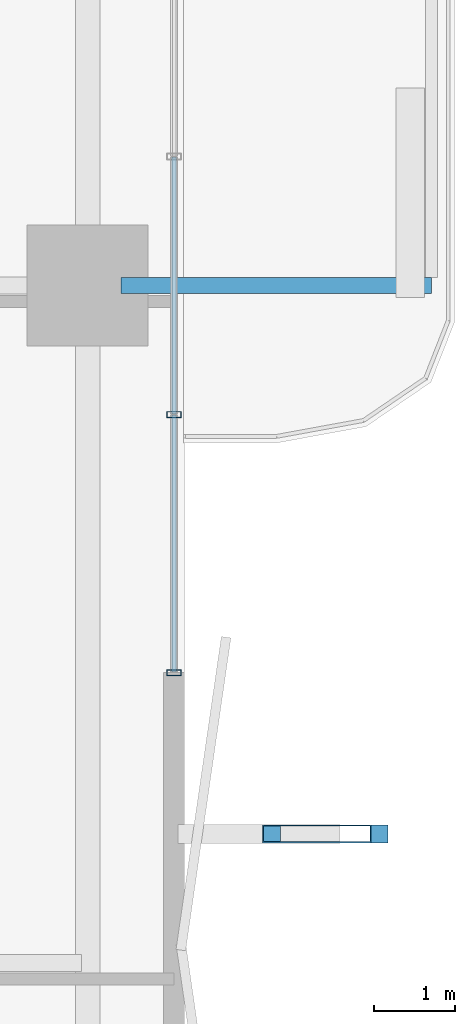
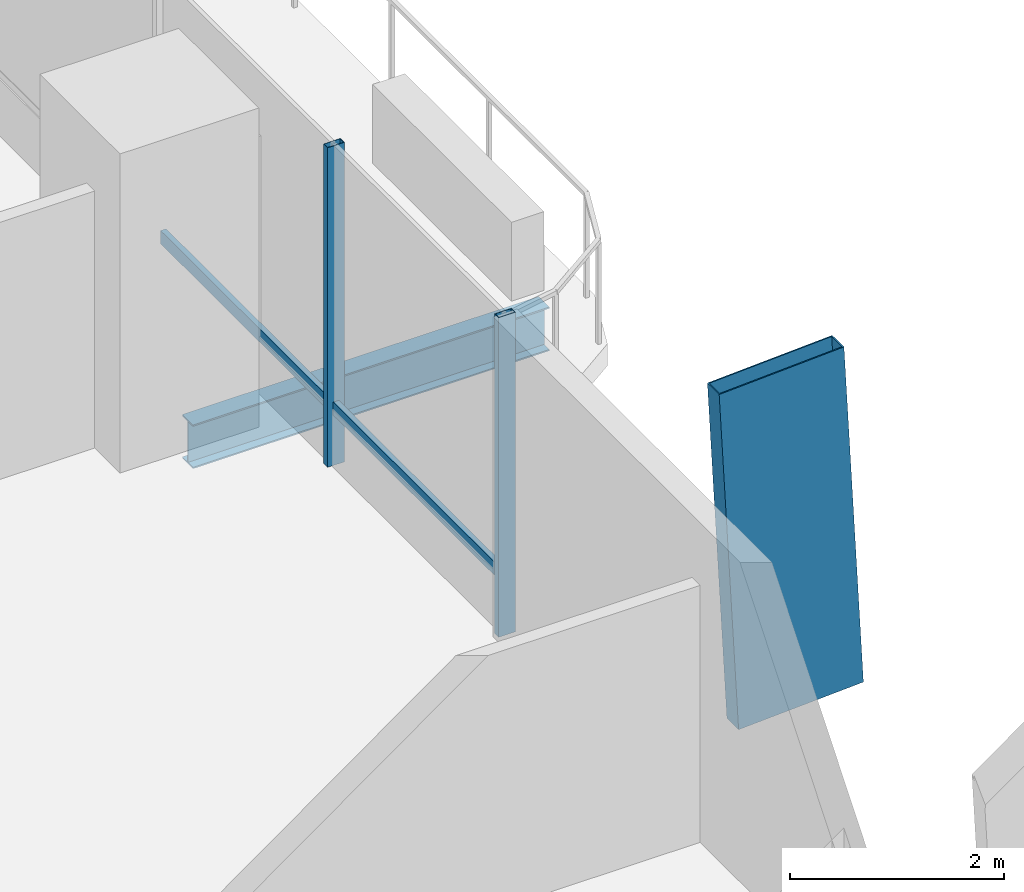
# One storey, part 8 of 24: 5 members, 1 beam, 1 element without a shape of its own.
"""IFC4 building model written with IfcOpenShell, lengths in metres."""

from ifc_helpers import new_model, si_unit, direction, frame, origin, origin_2d, place, context, subcontext, project, spatial, hollow_rectangle, i_section, extrude, material, layer, layer_set, material_profile, profile_set, type_object, element, aggregate, save


model = new_model("IFC4")

# Units and contexts
model_context = context("Model", 3, precision=1e-05, world=origin(), true_north=direction((0.0, 1.0)))
body_context = subcontext(model_context, "Body", "Model", "MODEL_VIEW")
ifc_project = project(units=[si_unit("LENGTHUNIT", "METRE"), si_unit("AREAUNIT", "SQUARE_METRE"), si_unit("VOLUMEUNIT", "CUBIC_METRE"), si_unit("PLANEANGLEUNIT", "RADIAN"), si_unit("MASSUNIT", "GRAM", prefix="KILO")], contexts=[model_context])

# Site, building, storey
site_placement = place(None, origin())
site = spatial("IfcSite", under=ifc_project, at=site_placement, CompositionType="ELEMENT")
building_placement = place(site_placement, origin())
building = spatial("IfcBuilding", under=site, at=building_placement, Name="Belovzor Exchange Tower", CompositionType="ELEMENT")
storey_placement = place(building_placement, frame((0.0, 0.0, 61.199951171875)))
storey = spatial("IfcBuildingStorey", under=building, at=storey_placement, Name="L14", CompositionType="ELEMENT", Elevation=61.199951171875)

# Member
ifc_material_1 = material(Name="Extruded Architectural Terracotta on Steel S355 Carrier", Category="masonry")
ifc_material_profile_1 = material_profile(ifc_material_1, hollow_rectangle(XDim=0.219970703125, YDim=1.35009765625, WallThickness=0.013916015625, at=origin_2d()))
ifc_profile_set_1 = profile_set([ifc_material_profile_1], Name="Extruded Architectural Terracotta on Steel S355 Carrier")
member_type_1 = type_object("IfcMemberType", Name="Base Arc Sweeping Terracotta Pylon Fin 1450", PredefinedType="USERDEFINED", material=ifc_profile_set_1)
member_1_placement = place(storey_placement, frame((58.549072265625, 22.0, -0.25), z_axis=(-0.053756276307, 0.0, 0.998554086045), x_axis=(0.0, -1.0, 0.0)))
element("IfcMember", 1, at=member_1_placement, inside=storey, type_object=member_type_1, Name="FIN-TC145 Terracotta Facade Fin L14 E2", ObjectType="FIN", PredefinedType="USERDEFINED", context=body_context, shape_type="SweptSolid", body=[
    extrude(hollow_rectangle(XDim=0.219970703125, YDim=1.35009765625, WallThickness=0.013916015625, at=origin_2d()), origin(), (0.0, 0.0, 1.0), 3.90576171875),
])

# Beam
ifc_material_2 = material(Name="Steel S355", Category="steel")
ifc_material_profile_2 = material_profile(ifc_material_2, i_section(OverallWidth=0.199951171875, OverallDepth=0.5, WebThickness=0.01025390625, FlangeThickness=0.01611328125, at=origin_2d()))
ifc_profile_set_2 = profile_set([ifc_material_profile_2], Name="Steel S355")
beam_type = type_object("IfcBeamType", Name="Planted Balcony Cantilever Beam IPE 500", PredefinedType="BEAM", material=ifc_profile_set_2)
beam_placement = place(storey_placement, frame((55.9130859375, 28.800048828125, -0.5), z_axis=(1.0, 0.0, 0.0), x_axis=(0.0, 1.0, 0.0)))
element("IfcBeam", 2, at=beam_placement, inside=storey, type_object=beam_type, Name="BC-500 Planted Balcony Cantilever Beam IPE 500", PredefinedType="BEAM", context=body_context, shape_type="SweptSolid", body=[
    extrude(i_section(OverallWidth=0.199951171875, OverallDepth=0.5, WebThickness=0.01025390625, FlangeThickness=0.01611328125, at=origin_2d()), origin(), (0.0, 0.0, 1.0), 3.849853515625),
])

# Curtain wall, members
ifc_material_3 = material(Name="Anodised Aluminium Framing", Category="aluminium")
ifc_layer = layer(ifc_material_3, 0.179931640625)
ifc_layer_set = layer_set([ifc_layer], Name="Anodised Aluminium Framing")
curtain_wall_type = type_object("IfcCurtainWallType", Name="Recessed Loggia Low-Iron Triple-Glazed Curtain Wall", PredefinedType="NOTDEFINED", material=ifc_layer_set)
curtain_wall_placement = place(storey_placement, origin())
curtain_wall = element("IfcCurtainWall", 3, at=curtain_wall_placement, inside=storey, type_object=curtain_wall_type, Name="CW3 Recessed Loggia Low-Iron Triple-Glazed Curtain Wall L14", PredefinedType="NOTDEFINED")
ifc_material_4 = material(Name="Steel S355", Category="steel")
ifc_material_profile_3 = material_profile(ifc_material_4, hollow_rectangle(XDim=0.074951171875, YDim=0.179931640625, WallThickness=0.0048828125, at=origin_2d()))
ifc_profile_set_3 = profile_set([ifc_material_profile_3], Name="Steel S355")
member_type_2 = type_object("IfcMemberType", Name="Thermally Broken Curtain Wall Mullion 180x75", PredefinedType="MULLION", material=ifc_profile_set_3)
member_2_placement = place(storey_placement, frame((56.570068359375, 27.199951171875, 0.0), z_axis=(0.0, 0.0, 1.0), x_axis=(0.0, -1.0, 0.0)))
member_2 = element("IfcMember", 4, at=member_2_placement, type_object=member_type_2, Name="CW-M180 Curtain Wall Mullion 3", PredefinedType="MULLION", context=body_context, shape_type="SweptSolid", body=[
    extrude(hollow_rectangle(XDim=0.074951171875, YDim=0.179931640625, WallThickness=0.0048828125, at=origin_2d()), origin(), (0.0, 0.0, 1.0), 3.650146484375),
])
member_3_placement = place(storey_placement, frame((56.570068359375, 24.0, 0.0), z_axis=(0.0, 0.0, 1.0), x_axis=(0.0, -1.0, 0.0)))
member_3 = element("IfcMember", 5, at=member_3_placement, type_object=member_type_2, Name="CW-M180 Curtain Wall Mullion 4", PredefinedType="MULLION", context=body_context, shape_type="SweptSolid", body=[
    extrude(hollow_rectangle(XDim=0.074951171875, YDim=0.179931640625, WallThickness=0.0048828125, at=origin_2d()), origin(), (0.0, 0.0, 1.0), 3.650146484375),
])
ifc_material_5 = material(Name="Steel S355", Category="steel")
ifc_material_profile_4 = material_profile(ifc_material_5, hollow_rectangle(XDim=0.06005859375, YDim=0.14990234375, WallThickness=0.00390625, at=origin_2d()))
ifc_profile_set_4 = profile_set([ifc_material_profile_4], Name="Steel S355")
member_type_3 = type_object("IfcMemberType", Name="Thermally Broken Curtain Wall Transom 150x60", PredefinedType="USERDEFINED", material=ifc_profile_set_4)
member_4_placement = place(storey_placement, frame((56.570068359375, 30.39208984375, 0.650146484375), z_axis=(0.0, -1.0, 0.0), x_axis=(1.0, 0.0, 0.0)))
member_4 = element("IfcMember", 6, at=member_4_placement, type_object=member_type_3, Name="CW-T150 Curtain Wall Transom 2", ObjectType="TRANSOM", PredefinedType="USERDEFINED", context=body_context, shape_type="SweptSolid", body=[
    extrude(hollow_rectangle(XDim=0.06005859375, YDim=0.14990234375, WallThickness=0.00390625, at=origin_2d()), origin(), (0.0, 0.0, 1.0), 3.18408203125),
])
member_5_placement = place(storey_placement, frame((56.570068359375, 27.19189453125, 0.650146484375), z_axis=(0.0, -1.0, 0.0), x_axis=(1.0, 0.0, 0.0)))
member_5 = element("IfcMember", 7, at=member_5_placement, type_object=member_type_3, Name="CW-T150 Curtain Wall Transom 3", ObjectType="TRANSOM", PredefinedType="USERDEFINED", context=body_context, shape_type="SweptSolid", body=[
    extrude(hollow_rectangle(XDim=0.06005859375, YDim=0.14990234375, WallThickness=0.00390625, at=origin_2d()), origin(), (0.0, 0.0, 1.0), 3.183837890625),
])
aggregate(curtain_wall, [member_2, member_3, member_4, member_5])

save(model, "model.ifc")
